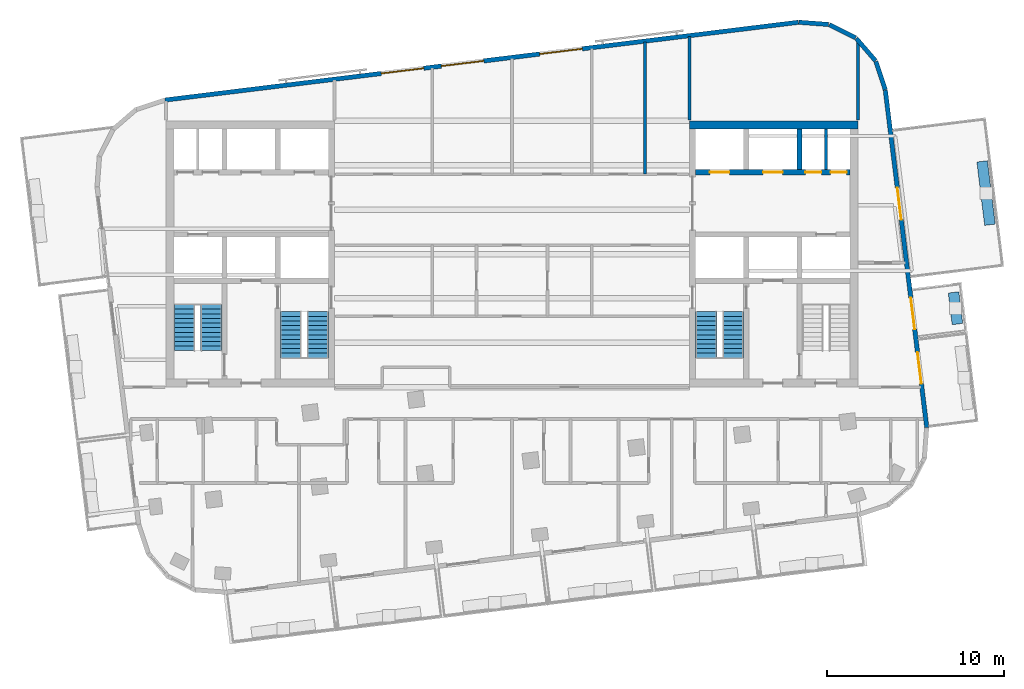
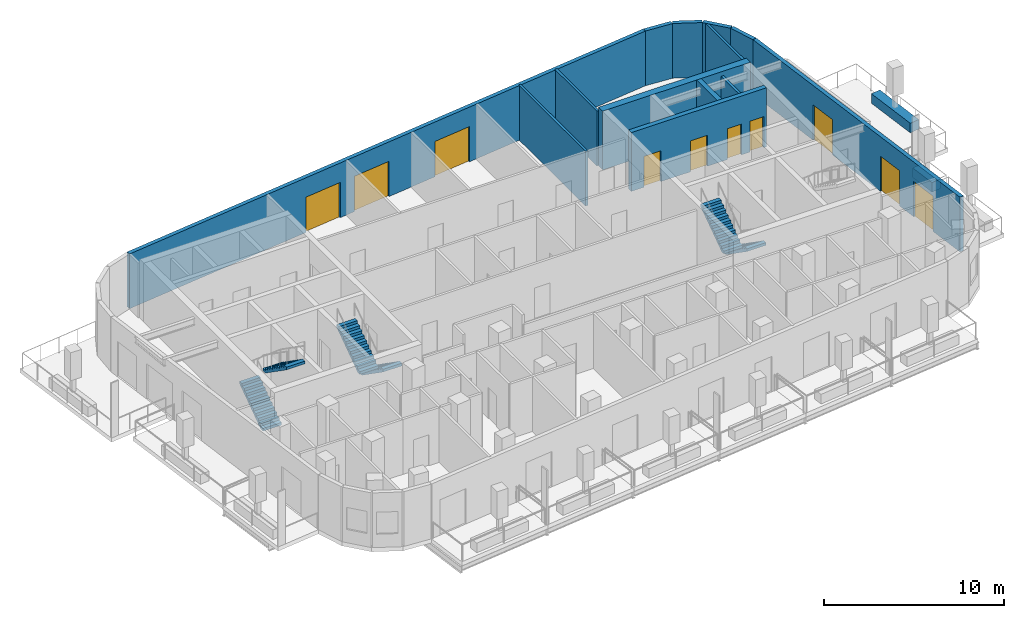
# One storey, part 7 of 11: 15 walls, 7 doors, 6 stair flights, 3 windows, 10 openings, 3 elements without a shape of their own.
"""IFC4 building model written with IfcOpenShell, lengths in metres."""

from ifc_helpers import new_model, si_unit, direction, frame, frame_2d, origin, place, context, subcontext, project, spatial, polyline, rectangle, outline, extrude, material, layer, layer_set, type_object, element, fill, aggregate, save


model = new_model("IFC4")

# Units and contexts
model_context = context("Model", 3, precision=1e-05, world=origin(), true_north=direction((0.0, 1.0)))
body_context = subcontext(model_context, "Body", "Model", "MODEL_VIEW")
ifc_project = project(units=[si_unit("LENGTHUNIT", "METRE"), si_unit("AREAUNIT", "SQUARE_METRE"), si_unit("VOLUMEUNIT", "CUBIC_METRE"), si_unit("PLANEANGLEUNIT", "RADIAN"), si_unit("MASSUNIT", "GRAM", prefix="KILO")], contexts=[model_context])

# Site, building, storey
site_placement = place(None, origin())
site = spatial("IfcSite", under=ifc_project, at=site_placement, CompositionType="ELEMENT")
building_placement = place(site_placement, origin())
building = spatial("IfcBuilding", under=site, at=building_placement, Name="Torana Hotel and Residences", CompositionType="ELEMENT")
storey_placement = place(building_placement, frame((0.0, 0.0, 330.60009765625)))
storey = spatial("IfcBuildingStorey", under=building, at=storey_placement, Name="L87", CompositionType="ELEMENT", Elevation=330.60009765625)

# Wall, openings, doors
ifc_material_1 = material(Name="Concrete C60/75", Category="concrete")
ifc_layer_1 = layer(ifc_material_1, 0.300048828125)
ifc_layer_set_1 = layer_set([ifc_layer_1], Name="CORE WALL 300 C60/75")
wall_type_1 = type_object("IfcWallType", Name="CORE WALL 300 C60/75", PredefinedType="SHEAR", material=ifc_layer_set_1)
wall_1_placement = place(storey_placement, frame((10.35009765625, -2.89990234375, 0.0), z_axis=(0.0, 0.0, 1.0), x_axis=(1.0, 0.0, 0.0)))
wall_1 = element("IfcWall", 1, at=wall_1_placement, inside=storey, type_object=wall_type_1, Name="Core wall E row-N", PredefinedType="SHEAR", context=body_context, shape_type="SweptSolid", body=[
    extrude(rectangle(XDim=8.699951171875, YDim=0.300048828125, at=frame_2d((4.35009765625, 0.0))), origin(), (0.0, 0.0, 1.0), 4.0),
])
opening_1_placement = place(wall_1_placement, frame((0.800048828125, 0.0, 0.0)))
opening_1 = element("IfcOpeningElement", 2, at=opening_1_placement, cuts=wall_1, Name="Opening LD", PredefinedType="OPENING", context=body_context, shape_type="SweptSolid", body=[
    extrude(rectangle(XDim=1.10009765625, YDim=2.10009765625, at=frame_2d((0.550048828125, 1.050048828125))), frame((0.0, 0.159912109375, 0.0), z_axis=(0.0, -1.0, 0.0), x_axis=(1.0, 0.0, 0.0)), (0.0, 0.0, 1.0), 0.320068359375),
])
opening_2_placement = place(wall_1_placement, frame((3.800048828125, 0.0, 0.0)))
opening_2 = element("IfcOpeningElement", 3, at=opening_2_placement, cuts=wall_1, Name="Opening LD", PredefinedType="OPENING", context=body_context, shape_type="SweptSolid", body=[
    extrude(rectangle(XDim=1.10009765625, YDim=2.10009765625, at=frame_2d((0.550048828125, 1.050048828125))), frame((0.0, 0.159912109375, 0.0), z_axis=(0.0, -1.0, 0.0), x_axis=(1.0, 0.0, 0.0)), (0.0, 0.0, 1.0), 0.320068359375),
])
opening_3_placement = place(wall_1_placement, frame((6.1875, 0.0, 0.0)))
opening_3 = element("IfcOpeningElement", 4, at=opening_3_placement, cuts=wall_1, Name="Opening L87-15", PredefinedType="OPENING", context=body_context, shape_type="SweptSolid", body=[
    extrude(rectangle(XDim=0.89990234375, YDim=2.10009765625, at=frame_2d((0.449951171875, 1.050048828125))), frame((0.0, 0.159912109375, 0.0), z_axis=(0.0, -1.0, 0.0), x_axis=(1.0, 0.0, 0.0)), (0.0, 0.0, 1.0), 0.320068359375),
])
opening_4_placement = place(wall_1_placement, frame((7.612548828125, 0.0, 0.0)))
opening_4 = element("IfcOpeningElement", 5, at=opening_4_placement, cuts=wall_1, Name="Opening L87-16", PredefinedType="OPENING", context=body_context, shape_type="SweptSolid", body=[
    extrude(rectangle(XDim=0.89990234375, YDim=2.10009765625, at=frame_2d((0.449951171875, 1.050048828125))), frame((0.0, 0.159912109375, 0.0), z_axis=(0.0, -1.0, 0.0), x_axis=(1.0, 0.0, 0.0)), (0.0, 0.0, 1.0), 0.320068359375),
])
ifc_material_2 = material(Name="Stainless steel 316", Category="steel")
door_type_1 = type_object("IfcDoorType", Name="LIFT LANDING DOOR LD 1100x2100", OperationType="DOUBLE_DOOR_SLIDING", PredefinedType="USERDEFINED", material=ifc_material_2)
door_1_placement = place(opening_1_placement, origin())
door_1 = element("IfcDoor", 6, at=door_1_placement, inside=storey, type_object=door_type_1, Name="Lift landing door H3 L87", ObjectType="LIFT LANDING DOOR", OperationType="DOUBLE_DOOR_SLIDING", OverallHeight=2.10009765625, OverallWidth=1.10009765625, PredefinedType="USERDEFINED", context=body_context, shape_type="SweptSolid", body=[
    extrude(rectangle(XDim=1.10009765625, YDim=2.10009765625, at=frame_2d((0.550048828125, 1.050048828125))), frame((0.0, 0.02490234375, 0.0), z_axis=(0.0, -1.0, 0.0), x_axis=(1.0, 0.0, 0.0)), (0.0, 0.0, 1.0), 0.050048828125),
])
fill(opening_1, door_1)
door_2_placement = place(opening_2_placement, origin())
door_2 = element("IfcDoor", 7, at=door_2_placement, inside=storey, type_object=door_type_1, Name="Lift landing door H4 L87", ObjectType="LIFT LANDING DOOR", OperationType="DOUBLE_DOOR_SLIDING", OverallHeight=2.10009765625, OverallWidth=1.10009765625, PredefinedType="USERDEFINED", context=body_context, shape_type="SweptSolid", body=[
    extrude(rectangle(XDim=1.10009765625, YDim=2.10009765625, at=frame_2d((0.550048828125, 1.050048828125))), frame((0.0, 0.02490234375, 0.0), z_axis=(0.0, -1.0, 0.0), x_axis=(1.0, 0.0, 0.0)), (0.0, 0.0, 1.0), 0.050048828125),
])
fill(opening_2, door_2)
ifc_material_3 = material(Name="Steel S235", Category="steel")
door_type_2 = type_object("IfcDoorType", Name="RISER ACCESS DOOR D5 900x2100", OperationType="SINGLE_SWING_LEFT", PredefinedType="DOOR", material=ifc_material_3)
door_3_placement = place(opening_3_placement, origin())
door_3 = element("IfcDoor", 8, at=door_3_placement, inside=storey, type_object=door_type_2, Name="N2A door L87", OperationType="SINGLE_SWING_RIGHT", OverallHeight=2.10009765625, OverallWidth=0.89990234375, PredefinedType="DOOR", context=body_context, shape_type="SweptSolid", body=[
    extrude(rectangle(XDim=0.89990234375, YDim=2.10009765625, at=frame_2d((0.449951171875, 1.050048828125))), frame((0.0, 0.02490234375, 0.0), z_axis=(0.0, -1.0, 0.0), x_axis=(1.0, 0.0, 0.0)), (0.0, 0.0, 1.0), 0.050048828125),
])
fill(opening_3, door_3)
door_4_placement = place(opening_4_placement, origin())
door_4 = element("IfcDoor", 9, at=door_4_placement, inside=storey, type_object=door_type_2, Name="N2B door L87", OperationType="SINGLE_SWING_RIGHT", OverallHeight=2.10009765625, OverallWidth=0.89990234375, PredefinedType="DOOR", context=body_context, shape_type="SweptSolid", body=[
    extrude(rectangle(XDim=0.89990234375, YDim=2.10009765625, at=frame_2d((0.449951171875, 1.050048828125))), frame((0.0, 0.02490234375, 0.0), z_axis=(0.0, -1.0, 0.0), x_axis=(1.0, 0.0, 0.0)), (0.0, 0.0, 1.0), 0.050048828125),
])
fill(opening_4, door_4)

# Walls
wall_2_placement = place(storey_placement, frame((16.199951171875, -2.75, 0.0), z_axis=(0.0, 0.0, 1.0), x_axis=(0.0, 1.0, 0.0)))
element("IfcWall", 10, at=wall_2_placement, inside=storey, type_object=wall_type_1, Name="Core wall E x6.05-N", PredefinedType="SHEAR", context=body_context, shape_type="SweptSolid", body=[
    extrude(rectangle(XDim=2.300048828125, YDim=0.300048828125, at=frame_2d((1.14990234375, 0.0))), origin(), (0.0, 0.0, 1.0), 4.0),
])
ifc_material_4 = material(Name="Concrete C60/75", Category="concrete")
ifc_layer_2 = layer(ifc_material_4, 0.449951171875)
ifc_layer_set_2 = layer_set([ifc_layer_2], Name="CORE WALL 450 C60/75")
wall_type_2 = type_object("IfcWallType", Name="CORE WALL 450 C60/75", PredefinedType="SHEAR", material=ifc_layer_set_2)
wall_3_placement = place(storey_placement, frame((10.0, -0.22509765625, 0.0), z_axis=(0.0, 0.0, 1.0), x_axis=(1.0, 0.0, 0.0)))
element("IfcWall", 11, at=wall_3_placement, inside=storey, type_object=wall_type_2, Name="Core wall E rear", PredefinedType="SHEAR", context=body_context, shape_type="SweptSolid", body=[
    extrude(rectangle(XDim=9.5, YDim=0.449951171875, at=frame_2d((4.75, 0.0))), origin(), (0.0, 0.0, 1.0), 4.0),
])
ifc_material_5 = material(Name="Black aluminium composite panel", Category="aluminium")
ifc_layer_3 = layer(ifc_material_5, 0.00390625, Name="Cladding", Category="cladding")
ifc_material_6 = material(Name="Ventilated air cavity")
ifc_layer_4 = layer(ifc_material_6, 0.0400390625, Name="Ventilated cavity", Category="cavity")
ifc_material_7 = material(Name="Mineral wool insulation")
ifc_layer_5 = layer(ifc_material_7, 0.090087890625, Name="Insulation", Category="insulation")
ifc_material_8 = material(Name="Steel S280GD", Category="steel")
ifc_layer_6 = layer(ifc_material_8, 0.092041015625, Name="Steel stud frame", Category="structure")
ifc_material_9 = material(Name="Fire rated plasterboard")
ifc_layer_7 = layer(ifc_material_9, 0.011962890625, Name="Inner board", Category="finish")
ifc_layer_8 = layer(ifc_material_9, 0.011962890625, Name="Second board", Category="finish")
ifc_layer_set_3 = layer_set([ifc_layer_3, ifc_layer_4, ifc_layer_5, ifc_layer_6, ifc_layer_7, ifc_layer_8], Name="EW1 EXTERNAL WALL BLACK METAL CLAD 250")
wall_type_3 = type_object("IfcWallType", Name="EW1 EXTERNAL WALL BLACK METAL CLAD 250", PredefinedType="SOLIDWALL", material=ifc_layer_set_3)
wall_4_placement = place(storey_placement, frame((21.035888671875, 1.754638671875, 0.0), z_axis=(0.0, 0.0, 1.0), x_axis=(-0.313046160822, 0.949737911844, 0.0)))
element("IfcWall", 12, at=wall_4_placement, inside=storey, type_object=wall_type_3, Name="External wall L87 e0.0", PredefinedType="SOLIDWALL", context=body_context, shape_type="SweptSolid", body=[
    extrude(rectangle(XDim=1.681396484375, YDim=0.25, at=frame_2d((0.8408203125, 0.0))), origin(), (0.0, 0.0, 1.0), 3.719970703125),
])
for number, where, z_axis, x_axis, name in (
    (13, (20.4853515625, 3.39404296875, 0.0), (0.0, 0.0, 1.0), (-0.652755886531, 0.757568315466, 0.0), "External wall L87 e0.1"),
    (14, (19.36572265625, 4.678955078125, 0.0), (0.0, 0.0, 1.0), (-0.893007580524, 0.450041621549, 0.0), "External wall L87 e0.2"),
):
    element("IfcWall", number, at=place(storey_placement, frame(where, z_axis=z_axis, x_axis=x_axis)), inside=storey, type_object=wall_type_3, Name=name, PredefinedType="SOLIDWALL", context=body_context, shape_type="SweptSolid", body=[
        extrude(rectangle(XDim=1.65625, YDim=0.25, at=frame_2d((0.828125, 0.0))), origin(), (0.0, 0.0, 1.0), 3.719970703125),
    ])
wall_5_placement = place(storey_placement, frame((17.839599609375, 5.4375, 0.0), z_axis=(0.0, 0.0, 1.0), x_axis=(-0.997254267475, 0.074053534713, 0.0)))
element("IfcWall", 15, at=wall_5_placement, inside=storey, type_object=wall_type_3, Name="External wall L87 e0.3", PredefinedType="SOLIDWALL", context=body_context, shape_type="SweptSolid", body=[
    extrude(rectangle(XDim=1.681396484375, YDim=0.25, at=frame_2d((0.8408203125, 0.0))), origin(), (0.0, 0.0, 1.0), 3.719970703125),
])

# Wall, openings, doors
wall_6_placement = place(storey_placement, frame((23.375, -17.277099609375, 0.0), z_axis=(0.0, 0.0, 1.0), x_axis=(-0.121862878281, 0.992546945437, 0.0)))
wall_6 = element("IfcWall", 16, at=wall_6_placement, inside=storey, type_object=wall_type_3, Name="External wall L87 e0.19", PredefinedType="SOLIDWALL", context=body_context, shape_type="SweptSolid", body=[
    extrude(rectangle(XDim=19.150634765625, YDim=0.25, at=frame_2d((9.5751953125, 0.0))), origin(), (0.0, 0.0, 1.0), 3.719970703125),
])
opening_5_placement = place(wall_6_placement, frame((2.479248046875, 0.0, 0.0)))
opening_5 = element("IfcOpeningElement", 17, at=opening_5_placement, cuts=wall_6, Name="Opening L87-E07", PredefinedType="OPENING", context=body_context, shape_type="SweptSolid", body=[
    extrude(rectangle(XDim=1.800048828125, YDim=2.39990234375, at=frame_2d((0.89990234375, 1.199951171875))), frame((0.0, 0.135009765625, 0.0), z_axis=(0.0, -1.0, 0.0), x_axis=(1.0, 0.0, 0.0)), (0.0, 0.0, 1.0), 0.27001953125),
])
opening_6_placement = place(wall_6_placement, frame((5.5751953125, 0.0, 0.0)))
opening_6 = element("IfcOpeningElement", 18, at=opening_6_placement, cuts=wall_6, Name="Opening L87-E08", PredefinedType="OPENING", context=body_context, shape_type="SweptSolid", body=[
    extrude(rectangle(XDim=1.800048828125, YDim=2.39990234375, at=frame_2d((0.89990234375, 1.199951171875))), frame((0.0, 0.135009765625, 0.0), z_axis=(0.0, -1.0, 0.0), x_axis=(1.0, 0.0, 0.0)), (0.0, 0.0, 1.0), 0.27001953125),
])
opening_7_placement = place(wall_6_placement, frame((11.806640625, 0.0, 0.0)))
opening_7 = element("IfcOpeningElement", 19, at=opening_7_placement, cuts=wall_6, Name="Opening L87-E09", PredefinedType="OPENING", context=body_context, shape_type="SweptSolid", body=[
    extrude(rectangle(XDim=1.800048828125, YDim=2.39990234375, at=frame_2d((0.89990234375, 1.199951171875))), frame((0.0, 0.135009765625, 0.0), z_axis=(0.0, -1.0, 0.0), x_axis=(1.0, 0.0, 0.0)), (0.0, 0.0, 1.0), 0.27001953125),
])
ifc_material_10 = material(Name="Dark glass in black aluminium frame", Category="aluminium")
door_type_3 = type_object("IfcDoorType", Name="DB1 BALCONY DOOR 1800x2400", OperationType="DOUBLE_DOOR_SINGLE_SWING", PredefinedType="DOOR", material=ifc_material_10)
door_5_placement = place(opening_5_placement, origin())
door_5 = element("IfcDoor", 20, at=door_5_placement, inside=storey, type_object=door_type_3, Name="Balcony door L87", OperationType="DOUBLE_DOOR_SINGLE_SWING", OverallHeight=2.39990234375, OverallWidth=1.800048828125, PredefinedType="DOOR", context=body_context, shape_type="SweptSolid", body=[
    extrude(rectangle(XDim=1.800048828125, YDim=2.39990234375, at=frame_2d((0.89990234375, 1.199951171875))), frame((0.0, 0.02490234375, 0.0), z_axis=(0.0, -1.0, 0.0), x_axis=(1.0, 0.0, 0.0)), (0.0, 0.0, 1.0), 0.050048828125),
])
fill(opening_5, door_5)
door_6_placement = place(opening_6_placement, origin())
door_6 = element("IfcDoor", 21, at=door_6_placement, inside=storey, type_object=door_type_3, Name="Balcony door L87", OperationType="DOUBLE_DOOR_SINGLE_SWING", OverallHeight=2.39990234375, OverallWidth=1.800048828125, PredefinedType="DOOR", context=body_context, shape_type="SweptSolid", body=[
    extrude(rectangle(XDim=1.800048828125, YDim=2.39990234375, at=frame_2d((0.89990234375, 1.199951171875))), frame((0.0, 0.02490234375, 0.0), z_axis=(0.0, -1.0, 0.0), x_axis=(1.0, 0.0, 0.0)), (0.0, 0.0, 1.0), 0.050048828125),
])
fill(opening_6, door_6)
door_7_placement = place(opening_7_placement, origin())
door_7 = element("IfcDoor", 22, at=door_7_placement, inside=storey, type_object=door_type_3, Name="Balcony door L87", OperationType="DOUBLE_DOOR_SINGLE_SWING", OverallHeight=2.39990234375, OverallWidth=1.800048828125, PredefinedType="DOOR", context=body_context, shape_type="SweptSolid", body=[
    extrude(rectangle(XDim=1.800048828125, YDim=2.39990234375, at=frame_2d((0.89990234375, 1.199951171875))), frame((0.0, 0.02490234375, 0.0), z_axis=(0.0, -1.0, 0.0), x_axis=(1.0, 0.0, 0.0)), (0.0, 0.0, 1.0), 0.050048828125),
])
fill(opening_7, door_7)

# Wall, openings, windows
ifc_material_11 = material(Name="Concrete C40/50 precast", Category="concrete")
ifc_layer_9 = layer(ifc_material_11, 0.10009765625, Name="Perforated block", Category="cladding")
ifc_material_12 = material(Name="Air cavity")
ifc_layer_10 = layer(ifc_material_12, 0.030029296875, Name="Cavity", Category="cavity")
ifc_material_13 = material(Name="Concrete C40/50", Category="concrete")
ifc_layer_11 = layer(ifc_material_13, 0.10009765625, Name="Wall", Category="structure")
ifc_material_14 = material(Name="Plaster and paint")
ifc_layer_12 = layer(ifc_material_14, 0.02001953125, Name="Inner finish", Category="finish")
ifc_layer_set_4 = layer_set([ifc_layer_9, ifc_layer_10, ifc_layer_11, ifc_layer_12], Name="EW2 PERFORATED BLOCK SCREEN WALL 250")
wall_type_4 = type_object("IfcWallType", Name="EW2 PERFORATED BLOCK SCREEN WALL 250", PredefinedType="SOLIDWALL", material=ifc_layer_set_4)
wall_7_placement = place(storey_placement, frame((16.13818359375, 5.561279296875, 0.0), z_axis=(0.0, 0.0, 1.0), x_axis=(-0.992546726876, -0.121864658405, 0.0)))
wall_7 = element("IfcWall", 23, at=wall_7_placement, inside=storey, type_object=wall_type_4, Name="External wall L87 e0.4", PredefinedType="SOLIDWALL", context=body_context, shape_type="SweptSolid", body=[
    extrude(rectangle(XDim=35.95068359375, YDim=0.25, at=frame_2d((17.975341796875, 0.0))), origin(), (0.0, 0.0, 1.0), 3.719970703125),
])
opening_8_placement = place(wall_7_placement, frame((12.275390625, 0.0, 0.0)))
opening_8 = element("IfcOpeningElement", 24, at=opening_8_placement, cuts=wall_7, Name="Opening W6", PredefinedType="OPENING", context=body_context, shape_type="SweptSolid", body=[
    extrude(rectangle(XDim=2.39990234375, YDim=2.39990234375, at=frame_2d((1.199951171875, 1.199951171875))), frame((0.0, 0.135009765625, 0.0), z_axis=(0.0, -1.0, 0.0), x_axis=(1.0, 0.0, 0.0)), (0.0, 0.0, 1.0), 0.27001953125),
])
opening_9_placement = place(wall_7_placement, frame((17.865234375, 0.0, 0.0)))
opening_9 = element("IfcOpeningElement", 25, at=opening_9_placement, cuts=wall_7, Name="Opening W6", PredefinedType="OPENING", context=body_context, shape_type="SweptSolid", body=[
    extrude(rectangle(XDim=2.39990234375, YDim=2.39990234375, at=frame_2d((1.199951171875, 1.199951171875))), frame((0.0, 0.135009765625, 0.0), z_axis=(0.0, -1.0, 0.0), x_axis=(1.0, 0.0, 0.0)), (0.0, 0.0, 1.0), 0.27001953125),
])
opening_10_placement = place(wall_7_placement, frame((21.275390625, 0.0, 0.0)))
opening_10 = element("IfcOpeningElement", 26, at=opening_10_placement, cuts=wall_7, Name="Opening W6", PredefinedType="OPENING", context=body_context, shape_type="SweptSolid", body=[
    extrude(rectangle(XDim=2.39990234375, YDim=2.39990234375, at=frame_2d((1.199951171875, 1.199951171875))), frame((0.0, 0.135009765625, 0.0), z_axis=(0.0, -1.0, 0.0), x_axis=(1.0, 0.0, 0.0)), (0.0, 0.0, 1.0), 0.27001953125),
])
ifc_material_15 = material(Name="Dark glass in black aluminium frame", Category="aluminium")
window_type = type_object("IfcWindowType", Name="W6 CLUB GLAZED BAY 2400x2400", PartitioningType="SINGLE_PANEL", PredefinedType="WINDOW", material=ifc_material_15)
window_1_placement = place(opening_8_placement, origin())
window_1 = element("IfcWindow", 27, at=window_1_placement, inside=storey, type_object=window_type, Name="Window L87", OverallHeight=2.39990234375, OverallWidth=2.39990234375, PartitioningType="SINGLE_PANEL", PredefinedType="WINDOW", context=body_context, shape_type="SweptSolid", body=[
    extrude(rectangle(XDim=2.39990234375, YDim=2.39990234375, at=frame_2d((1.199951171875, 1.199951171875))), frame((0.0, 0.030029296875, 0.0), z_axis=(0.0, -1.0, 0.0), x_axis=(1.0, 0.0, 0.0)), (0.0, 0.0, 1.0), 0.06005859375),
])
fill(opening_8, window_1)
window_2_placement = place(opening_9_placement, origin())
window_2 = element("IfcWindow", 28, at=window_2_placement, inside=storey, type_object=window_type, Name="Window L87", OverallHeight=2.39990234375, OverallWidth=2.39990234375, PartitioningType="SINGLE_PANEL", PredefinedType="WINDOW", context=body_context, shape_type="SweptSolid", body=[
    extrude(rectangle(XDim=2.39990234375, YDim=2.39990234375, at=frame_2d((1.199951171875, 1.199951171875))), frame((0.0, 0.030029296875, 0.0), z_axis=(0.0, -1.0, 0.0), x_axis=(1.0, 0.0, 0.0)), (0.0, 0.0, 1.0), 0.06005859375),
])
fill(opening_9, window_2)
window_3_placement = place(opening_10_placement, origin())
window_3 = element("IfcWindow", 29, at=window_3_placement, inside=storey, type_object=window_type, Name="Window L87", OverallHeight=2.39990234375, OverallWidth=2.39990234375, PartitioningType="SINGLE_PANEL", PredefinedType="WINDOW", context=body_context, shape_type="SweptSolid", body=[
    extrude(rectangle(XDim=2.39990234375, YDim=2.39990234375, at=frame_2d((1.199951171875, 1.199951171875))), frame((0.0, 0.030029296875, 0.0), z_axis=(0.0, -1.0, 0.0), x_axis=(1.0, 0.0, 0.0)), (0.0, 0.0, 1.0), 0.06005859375),
])
fill(opening_10, window_3)

# Walls
ifc_material_16 = material(Name="Gypsum plaster")
ifc_layer_13 = layer(ifc_material_16, 0.014892578125, Name="Plaster", Category="finish")
ifc_material_17 = material(Name="Concrete blockwork", Category="masonry")
ifc_layer_14 = layer(ifc_material_17, 0.1201171875, Name="Blockwork", Category="structure")
ifc_layer_15 = layer(ifc_material_16, 0.014892578125, Name="Plaster", Category="finish")
ifc_layer_set_5 = layer_set([ifc_layer_13, ifc_layer_14, ifc_layer_15], Name="FIRE PARTITION 150 BLOCKWORK")
wall_type_5 = type_object("IfcWallType", Name="FIRE PARTITION 150 BLOCKWORK", PredefinedType="PARTITIONING", material=ifc_layer_set_5)
wall_8_placement = place(storey_placement, frame((17.699951171875, -2.75, 0.0), z_axis=(0.0, 0.0, 1.0), x_axis=(0.0, 1.0, 0.0)))
element("IfcWall", 30, at=wall_8_placement, inside=storey, type_object=wall_type_5, Name="Core partition L87", PredefinedType="PARTITIONING", context=body_context, shape_type="SweptSolid", body=[
    extrude(rectangle(XDim=2.300048828125, YDim=0.14990234375, at=frame_2d((1.14990234375, 0.0))), origin(), (0.0, 0.0, 1.0), 3.699951171875),
])
ifc_material_18 = material(Name="Gypsum plasterboard")
ifc_layer_16 = layer(ifc_material_18, 0.012451171875, Name="Plasterboard", Category="finish")
ifc_layer_17 = layer(ifc_material_18, 0.012451171875, Name="Plasterboard", Category="finish")
ifc_layer_18 = layer(ifc_material_8, 0.10009765625, Name="Steel studs with mineral wool", Category="insulation")
ifc_layer_19 = layer(ifc_material_18, 0.012451171875, Name="Plasterboard", Category="finish")
ifc_layer_20 = layer(ifc_material_18, 0.012451171875, Name="Plasterboard", Category="finish")
ifc_layer_set_6 = layer_set([ifc_layer_16, ifc_layer_17, ifc_layer_18, ifc_layer_19, ifc_layer_20], Name="PARTITION 150 PLASTERBOARD")
wall_type_6 = type_object("IfcWallType", Name="PARTITION 150 PLASTERBOARD", PredefinedType="PARTITIONING", material=ifc_layer_set_6)
wall_9_placement = place(storey_placement, frame((19.5, 0.050048828125, 0.0), z_axis=(0.0, 0.0, 1.0), x_axis=(0.0, 1.0, 0.0)))
element("IfcWall", 31, at=wall_9_placement, inside=storey, type_object=wall_type_6, Name="Partition L87", PredefinedType="PARTITIONING", context=body_context, shape_type="SweptSolid", body=[
    extrude(rectangle(XDim=4.4033203125, YDim=0.14990234375, at=frame_2d((2.20166015625, 0.0))), origin(), (0.0, 0.0, 1.0), 3.719970703125),
])
ifc_layer_21 = layer(ifc_material_11, 0.10009765625, Name="Planter shell", Category="structure")
ifc_material_19 = material(Name="Root resistant membrane")
ifc_layer_22 = layer(ifc_material_19, 0.00390625, Name="Waterproofing membrane", Category="membrane")
ifc_material_20 = material(Name="Drainage board with filter fleece")
ifc_layer_23 = layer(ifc_material_20, 0.02001953125, Name="Drainage board", Category="drainage")
ifc_material_21 = material(Name="Growing medium")
ifc_layer_24 = layer(ifc_material_21, 0.47607421875, Name="Planting substrate", Category="soil")
ifc_layer_set_7 = layer_set([ifc_layer_21, ifc_layer_22, ifc_layer_23, ifc_layer_24], Name="PL1 BALCONY PLANTER 600")
wall_type_7 = type_object("IfcWallType", Name="PL1 BALCONY PLANTER 600", PredefinedType="USERDEFINED", material=ifc_layer_set_7)
wall_10_placement = place(storey_placement, frame((24.88330078125, -9.66162109375, 0.0), z_axis=(0.0, 0.0, 1.0), x_axis=(0.121830336845, -0.992550940267, 0.0)))
element("IfcWall", 32, at=wall_10_placement, inside=storey, type_object=wall_type_7, Name="Planter 11", ObjectType="PLANTER", PredefinedType="USERDEFINED", context=body_context, shape_type="SweptSolid", body=[
    extrude(rectangle(XDim=1.799560546875, YDim=0.60009765625, at=frame_2d((0.89990234375, 0.0))), origin(), (0.0, 0.0, 1.0), 0.64990234375),
])
wall_11_placement = place(storey_placement, frame((26.49560546875, -2.2783203125, 0.0), z_axis=(0.0, 0.0, 1.0), x_axis=(0.121864343918, -0.992546765488, 0.0)))
element("IfcWall", 33, at=wall_11_placement, inside=storey, type_object=wall_type_7, Name="Planter 12", ObjectType="PLANTER", PredefinedType="USERDEFINED", context=body_context, shape_type="SweptSolid", body=[
    extrude(rectangle(XDim=3.60009765625, YDim=0.60009765625, at=frame_2d((1.800048828125, 0.0))), origin(), (0.0, 0.0, 1.0), 0.64990234375),
])
ifc_material_22 = material(Name="Ceramic tile on adhesive")
ifc_layer_25 = layer(ifc_material_22, 0.010009765625, Name="Wall tile", Category="finish")
ifc_material_23 = material(Name="Cement render")
ifc_layer_26 = layer(ifc_material_23, 0.010009765625, Name="Render", Category="finish")
ifc_layer_27 = layer(ifc_material_17, 0.110107421875, Name="Blockwork", Category="structure")
ifc_layer_28 = layer(ifc_material_23, 0.010009765625, Name="Render", Category="finish")
ifc_layer_29 = layer(ifc_material_22, 0.010009765625, Name="Wall tile", Category="finish")
ifc_layer_set_8 = layer_set([ifc_layer_25, ifc_layer_26, ifc_layer_27, ifc_layer_28, ifc_layer_29], Name="WC PARTITION 150")
wall_type_8 = type_object("IfcWallType", Name="WC PARTITION 150", PredefinedType="PLUMBINGWALL", material=ifc_layer_set_8)
wall_12_placement = place(storey_placement, frame((10.0, 0.050048828125, 0.0), z_axis=(0.0, 0.0, 1.0), x_axis=(0.0, 1.0, 0.0)))
element("IfcWall", 34, at=wall_12_placement, inside=storey, type_object=wall_type_8, Name="Partition L87", PredefinedType="PLUMBINGWALL", context=body_context, shape_type="SweptSolid", body=[
    extrude(rectangle(XDim=4.7021484375, YDim=0.14990234375, at=frame_2d((2.35107421875, 0.0))), origin(), (0.0, 0.0, 1.0), 3.719970703125),
])
wall_13_placement = place(storey_placement, frame((7.5, -3.0, 0.0), z_axis=(0.0, 0.0, 1.0), x_axis=(0.0, 1.0, 0.0)))
element("IfcWall", 35, at=wall_13_placement, inside=storey, type_object=wall_type_8, Name="Partition L87", PredefinedType="PLUMBINGWALL", context=body_context, shape_type="SweptSolid", body=[
    extrude(rectangle(XDim=7.4453125, YDim=0.14990234375, at=frame_2d((3.72265625, 0.0))), origin(), (0.0, 0.0, 1.0), 3.719970703125),
])

# Stair, stair flights
ifc_material_24 = material(Name="Concrete C40/50 precast", Category="concrete")
stair_type_1 = type_object("IfcStairType", Name="STAIR ST1 HALF TURN 1200", PredefinedType="HALF_TURN_STAIR", material=ifc_material_24)
stair_1_placement = place(storey_placement, origin())
stair_1 = element("IfcStair", 36, at=stair_1_placement, inside=storey, type_object=stair_type_1, Name="Stair ST1 L87", PredefinedType="HALF_TURN_STAIR")
ifc_material_25 = material(Name="Concrete C40/50 precast", Category="concrete")
stair_flight_type = type_object("IfcStairFlightType", Name="STAIR FLIGHT 1200 PRECAST", PredefinedType="STRAIGHT", material=ifc_material_25)
stair_flight_1_placement = place(storey_placement, frame((-10.949951171875, -10.75, 0.0), z_axis=(0.0, 0.0, 1.0), x_axis=(0.0, -1.0, 0.0)))
stair_flight_1 = element("IfcStairFlight", 37, at=stair_flight_1_placement, type_object=stair_flight_type, Name="ST1 flight 1", NumberOfRisers=11, NumberOfTreads=10, PredefinedType="STRAIGHT", RiserHeight=0.181818182, TreadLength=0.26, context=body_context, shape_type="SweptSolid", body=[
    extrude(outline(polyline([(0.0, 0.0), (0.0, 0.181884765625), (0.260009765625, 0.181884765625), (0.260009765625, 0.363525390625), (0.52001953125, 0.363525390625), (0.52001953125, 0.54541015625), (0.780029296875, 0.54541015625), (0.780029296875, 0.727294921875), (1.0400390625, 0.727294921875), (1.0400390625, 0.9091796875), (1.300048828125, 0.9091796875), (1.300048828125, 1.0908203125), (1.56005859375, 1.0908203125), (1.56005859375, 1.272705078125), (1.820068359375, 1.272705078125), (1.820068359375, 1.45458984375), (2.080078125, 1.45458984375), (2.080078125, 1.636474609375), (2.340087890625, 1.636474609375), (2.340087890625, 1.818115234375), (2.60009765625, 1.818115234375), (2.60009765625, 2.0), (2.60009765625, 1.63525390625), (0.261474609375, 0.0), (0.0, 0.0)])), frame((0.0, 0.60009765625, 0.0), z_axis=(0.0, -1.0, 0.0), x_axis=(1.0, 0.0, 0.0)), (0.0, 0.0, 1.0), 1.199951171875),
])
stair_flight_2_placement = place(storey_placement, frame((-12.449951171875, -13.35009765625, 2.0), z_axis=(0.0, 0.0, 1.0), x_axis=(0.0, 1.0, 0.0)))
stair_flight_2 = element("IfcStairFlight", 38, at=stair_flight_2_placement, type_object=stair_flight_type, Name="ST1 flight 2", NumberOfRisers=11, NumberOfTreads=10, PredefinedType="STRAIGHT", RiserHeight=0.181818182, TreadLength=0.26, context=body_context, shape_type="SweptSolid", body=[
    extrude(outline(polyline([(0.0, 0.0), (0.0, 0.181884765625), (0.260009765625, 0.181884765625), (0.260009765625, 0.363525390625), (0.52001953125, 0.363525390625), (0.52001953125, 0.54541015625), (0.780029296875, 0.54541015625), (0.780029296875, 0.727294921875), (1.0400390625, 0.727294921875), (1.0400390625, 0.9091796875), (1.300048828125, 0.9091796875), (1.300048828125, 1.0908203125), (1.56005859375, 1.0908203125), (1.56005859375, 1.272705078125), (1.820068359375, 1.272705078125), (1.820068359375, 1.45458984375), (2.080078125, 1.45458984375), (2.080078125, 1.636474609375), (2.340087890625, 1.636474609375), (2.340087890625, 1.818115234375), (2.60009765625, 1.818115234375), (2.60009765625, 2.0), (2.60009765625, 1.63525390625), (0.261474609375, 0.0), (0.0, 0.0)])), frame((0.0, 0.60009765625, 0.0), z_axis=(0.0, -1.0, 0.0), x_axis=(1.0, 0.0, 0.0)), (0.0, 0.0, 1.0), 1.199951171875),
])
aggregate(stair_1, [stair_flight_1, stair_flight_2])

ifc_material_26 = material(Name="Concrete C40/50 precast", Category="concrete")
stair_type_2 = type_object("IfcStairType", Name="STAIR ST2 HALF TURN 1200", PredefinedType="HALF_TURN_STAIR", material=ifc_material_26)
stair_2_placement = place(storey_placement, origin())
stair_2 = element("IfcStair", 39, at=stair_2_placement, inside=storey, type_object=stair_type_2, Name="Stair ST2 L87", PredefinedType="HALF_TURN_STAIR")
stair_flight_3_placement = place(storey_placement, frame((-18.449951171875, -12.949951171875, 0.0), z_axis=(0.0, 0.0, 1.0), x_axis=(0.0, 1.0, 0.0)))
stair_flight_3 = element("IfcStairFlight", 40, at=stair_flight_3_placement, type_object=stair_flight_type, Name="ST2 flight 1", NumberOfRisers=11, NumberOfTreads=10, PredefinedType="STRAIGHT", RiserHeight=0.181818182, TreadLength=0.26, context=body_context, shape_type="SweptSolid", body=[
    extrude(outline(polyline([(0.0, 0.0), (0.0, 0.181884765625), (0.260009765625, 0.181884765625), (0.260009765625, 0.363525390625), (0.52001953125, 0.363525390625), (0.52001953125, 0.54541015625), (0.780029296875, 0.54541015625), (0.780029296875, 0.727294921875), (1.0400390625, 0.727294921875), (1.0400390625, 0.9091796875), (1.300048828125, 0.9091796875), (1.300048828125, 1.0908203125), (1.56005859375, 1.0908203125), (1.56005859375, 1.272705078125), (1.820068359375, 1.272705078125), (1.820068359375, 1.45458984375), (2.080078125, 1.45458984375), (2.080078125, 1.636474609375), (2.340087890625, 1.636474609375), (2.340087890625, 1.818115234375), (2.60009765625, 1.818115234375), (2.60009765625, 2.0), (2.60009765625, 1.63525390625), (0.261474609375, 0.0), (0.0, 0.0)])), frame((0.0, 0.60009765625, 0.0), z_axis=(0.0, -1.0, 0.0), x_axis=(1.0, 0.0, 0.0)), (0.0, 0.0, 1.0), 1.199951171875),
])
stair_flight_4_placement = place(storey_placement, frame((-16.949951171875, -10.35009765625, 2.0), z_axis=(0.0, 0.0, 1.0), x_axis=(0.0, -1.0, 0.0)))
stair_flight_4 = element("IfcStairFlight", 41, at=stair_flight_4_placement, type_object=stair_flight_type, Name="ST2 flight 2", NumberOfRisers=11, NumberOfTreads=10, PredefinedType="STRAIGHT", RiserHeight=0.181818182, TreadLength=0.26, context=body_context, shape_type="SweptSolid", body=[
    extrude(outline(polyline([(0.0, 0.0), (0.0, 0.181884765625), (0.260009765625, 0.181884765625), (0.260009765625, 0.363525390625), (0.52001953125, 0.363525390625), (0.52001953125, 0.54541015625), (0.780029296875, 0.54541015625), (0.780029296875, 0.727294921875), (1.0400390625, 0.727294921875), (1.0400390625, 0.9091796875), (1.300048828125, 0.9091796875), (1.300048828125, 1.0908203125), (1.56005859375, 1.0908203125), (1.56005859375, 1.272705078125), (1.820068359375, 1.272705078125), (1.820068359375, 1.45458984375), (2.080078125, 1.45458984375), (2.080078125, 1.636474609375), (2.340087890625, 1.636474609375), (2.340087890625, 1.818115234375), (2.60009765625, 1.818115234375), (2.60009765625, 2.0), (2.60009765625, 1.63525390625), (0.261474609375, 0.0), (0.0, 0.0)])), frame((0.0, 0.60009765625, 0.0), z_axis=(0.0, -1.0, 0.0), x_axis=(1.0, 0.0, 0.0)), (0.0, 0.0, 1.0), 1.199951171875),
])
aggregate(stair_2, [stair_flight_3, stair_flight_4])

ifc_material_27 = material(Name="Concrete C40/50 precast", Category="concrete")
stair_type_3 = type_object("IfcStairType", Name="STAIR ST3 HALF TURN 1200", PredefinedType="HALF_TURN_STAIR", material=ifc_material_27)
stair_3_placement = place(storey_placement, origin())
stair_3 = element("IfcStair", 42, at=stair_3_placement, inside=storey, type_object=stair_type_3, Name="Stair ST3 L87", PredefinedType="HALF_TURN_STAIR")
stair_flight_5_placement = place(storey_placement, frame((12.449951171875, -10.75, 0.0), z_axis=(0.0, 0.0, 1.0), x_axis=(0.0, -1.0, 0.0)))
stair_flight_5 = element("IfcStairFlight", 43, at=stair_flight_5_placement, type_object=stair_flight_type, Name="ST3 flight 1", NumberOfRisers=11, NumberOfTreads=10, PredefinedType="STRAIGHT", RiserHeight=0.181818182, TreadLength=0.26, context=body_context, shape_type="SweptSolid", body=[
    extrude(outline(polyline([(0.0, 0.0), (0.0, 0.181884765625), (0.260009765625, 0.181884765625), (0.260009765625, 0.363525390625), (0.52001953125, 0.363525390625), (0.52001953125, 0.54541015625), (0.780029296875, 0.54541015625), (0.780029296875, 0.727294921875), (1.0400390625, 0.727294921875), (1.0400390625, 0.9091796875), (1.300048828125, 0.9091796875), (1.300048828125, 1.0908203125), (1.56005859375, 1.0908203125), (1.56005859375, 1.272705078125), (1.820068359375, 1.272705078125), (1.820068359375, 1.45458984375), (2.080078125, 1.45458984375), (2.080078125, 1.636474609375), (2.340087890625, 1.636474609375), (2.340087890625, 1.818115234375), (2.60009765625, 1.818115234375), (2.60009765625, 2.0), (2.60009765625, 1.63525390625), (0.261474609375, 0.0), (0.0, 0.0)])), frame((0.0, 0.60009765625, 0.0), z_axis=(0.0, -1.0, 0.0), x_axis=(1.0, 0.0, 0.0)), (0.0, 0.0, 1.0), 1.199951171875),
])
stair_flight_6_placement = place(storey_placement, frame((10.949951171875, -13.35009765625, 2.0), z_axis=(0.0, 0.0, 1.0), x_axis=(0.0, 1.0, 0.0)))
stair_flight_6 = element("IfcStairFlight", 44, at=stair_flight_6_placement, type_object=stair_flight_type, Name="ST3 flight 2", NumberOfRisers=11, NumberOfTreads=10, PredefinedType="STRAIGHT", RiserHeight=0.181818182, TreadLength=0.26, context=body_context, shape_type="SweptSolid", body=[
    extrude(outline(polyline([(0.0, 0.0), (0.0, 0.181884765625), (0.260009765625, 0.181884765625), (0.260009765625, 0.363525390625), (0.52001953125, 0.363525390625), (0.52001953125, 0.54541015625), (0.780029296875, 0.54541015625), (0.780029296875, 0.727294921875), (1.0400390625, 0.727294921875), (1.0400390625, 0.9091796875), (1.300048828125, 0.9091796875), (1.300048828125, 1.0908203125), (1.56005859375, 1.0908203125), (1.56005859375, 1.272705078125), (1.820068359375, 1.272705078125), (1.820068359375, 1.45458984375), (2.080078125, 1.45458984375), (2.080078125, 1.636474609375), (2.340087890625, 1.636474609375), (2.340087890625, 1.818115234375), (2.60009765625, 1.818115234375), (2.60009765625, 2.0), (2.60009765625, 1.63525390625), (0.261474609375, 0.0), (0.0, 0.0)])), frame((0.0, 0.60009765625, 0.0), z_axis=(0.0, -1.0, 0.0), x_axis=(1.0, 0.0, 0.0)), (0.0, 0.0, 1.0), 1.199951171875),
])
aggregate(stair_3, [stair_flight_5, stair_flight_6])

save(model, "model.ifc")
